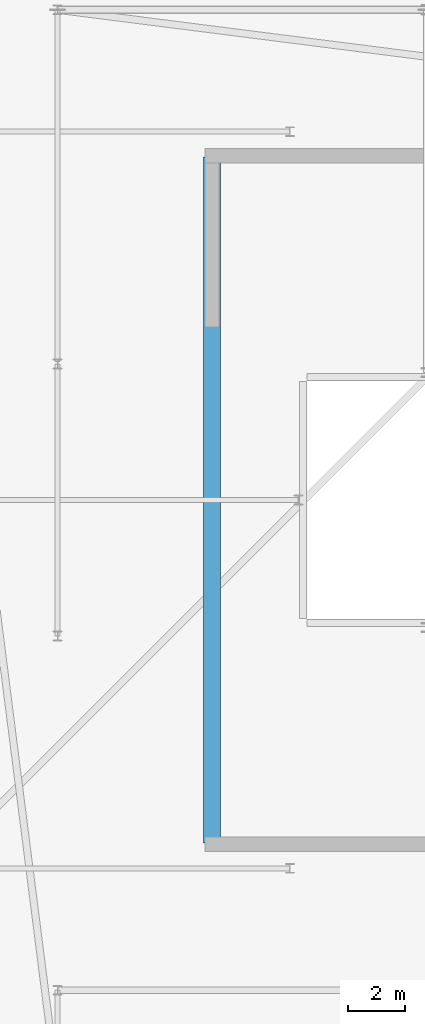
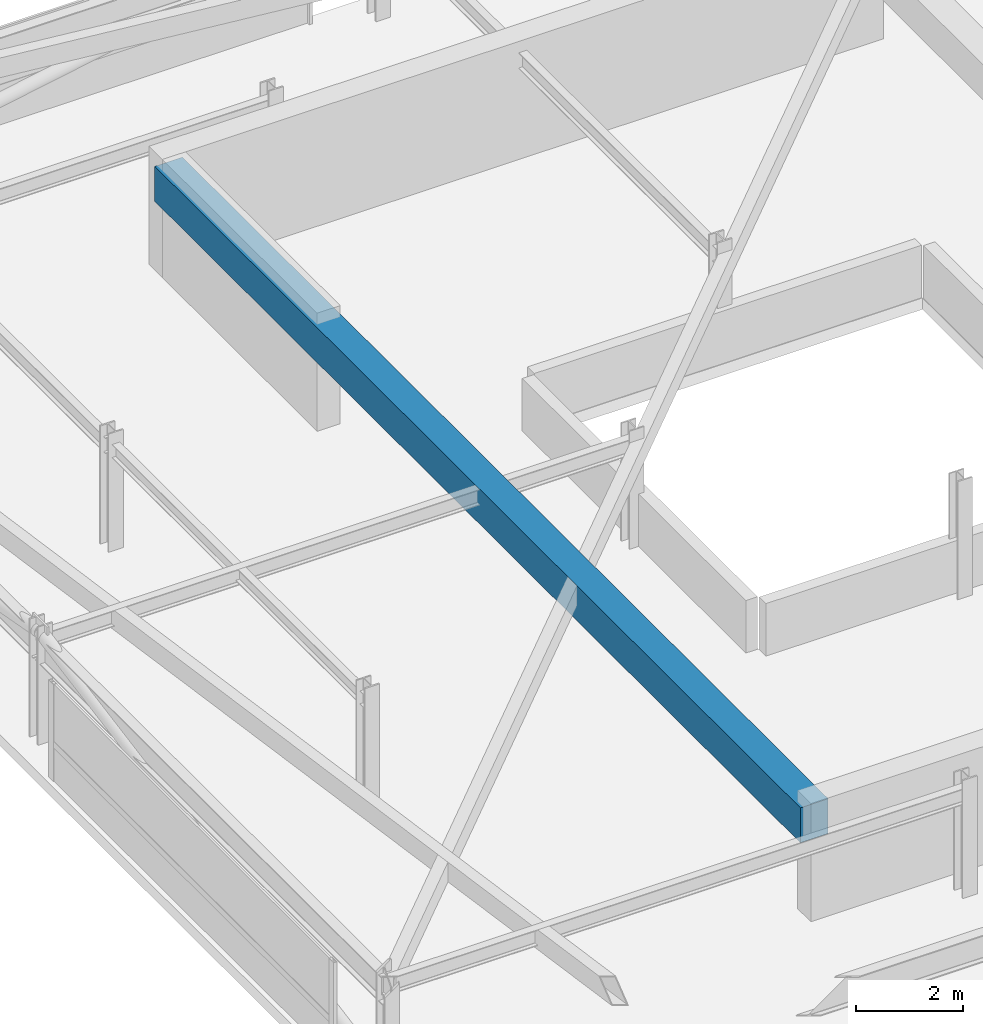
# One storey, part 13 of 42: 1 beam.
"""IFC4 building model written with IfcOpenShell, lengths in metres."""

from ifc_helpers import new_model, si_unit, direction, frame, origin, origin_2d, place, context, subcontext, project, spatial, rectangle, extrude, material, material_profile, profile_set, type_object, element, save


model = new_model("IFC4")

# Units and contexts
model_context = context("Model", 3, precision=1e-05, world=origin(), true_north=direction((0.0, 1.0)))
body_context = subcontext(model_context, "Body", "Model", "MODEL_VIEW")
ifc_project = project(units=[si_unit("LENGTHUNIT", "METRE"), si_unit("AREAUNIT", "SQUARE_METRE"), si_unit("VOLUMEUNIT", "CUBIC_METRE"), si_unit("PLANEANGLEUNIT", "RADIAN"), si_unit("MASSUNIT", "GRAM", prefix="KILO")], contexts=[model_context])

# Site, building, storey
site_placement = place(None, origin())
site = spatial("IfcSite", under=ifc_project, at=site_placement, CompositionType="ELEMENT")
building_placement = place(site_placement, origin())
building = spatial("IfcBuilding", under=site, at=building_placement, Name="Thornwick Lancets Civic Towers", CompositionType="ELEMENT")
storey_placement = place(building_placement, frame((0.0, 0.0, 286.800048828125)))
storey = spatial("IfcBuildingStorey", under=building, at=storey_placement, Name="C03", CompositionType="ELEMENT", Elevation=286.800048828125)

# Beam
ifc_material = material(Name="Concrete C60/75", Category="concrete")
ifc_material_profile = material_profile(ifc_material, rectangle(XDim=0.60009765625, YDim=0.800048828125, at=origin_2d()), Name="RC 600x800")
ifc_profile_set = profile_set([ifc_material_profile], Name="Concrete C60/75")
beam_type = type_object("IfcBeamType", Name="BM_COUP_RC800", PredefinedType="BEAM", material=ifc_profile_set)
beam_placement = place(storey_placement, frame((17.949951171875, 14.89990234375, 2.0400390625), z_axis=(0.0, 1.0, 0.0), x_axis=(-1.0, 0.0, 0.0)))
element("IfcBeam", 1, at=beam_placement, inside=storey, type_object=beam_type, Name="CB-C03-A2", PredefinedType="BEAM", context=body_context, shape_type="SweptSolid", body=[
    extrude(rectangle(XDim=0.60009765625, YDim=0.800048828125, at=origin_2d()), origin(), (0.0, 0.0, 1.0), 24.2001953125),
])

save(model, "model.ifc")
